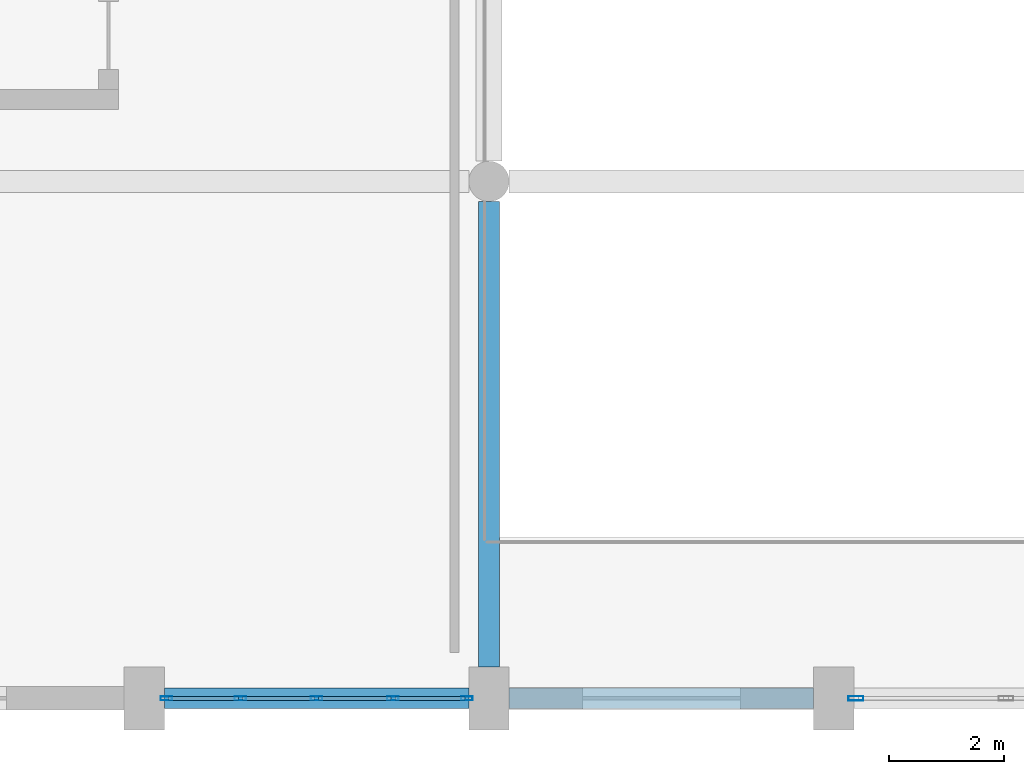
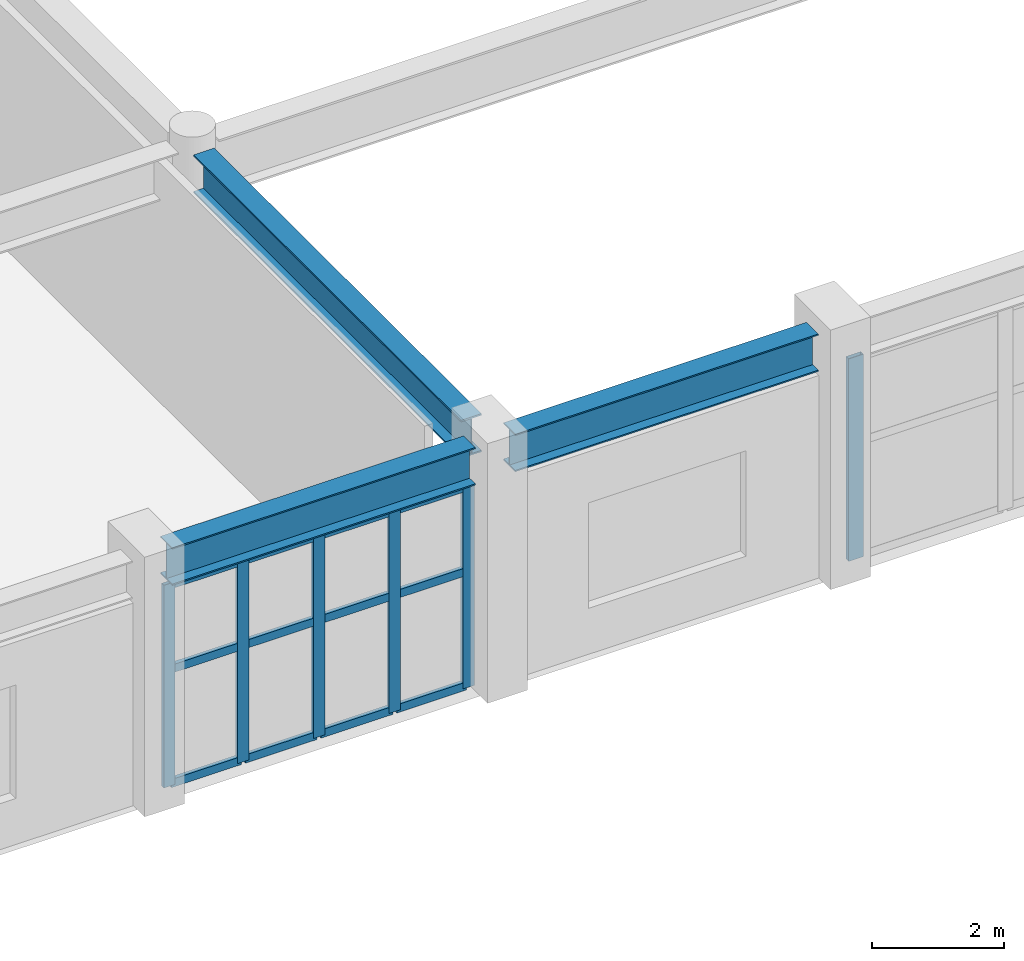
# One storey, part 4 of 80: 18 members, 3 beams, 2 elements without a shape of their own.
"""IFC4 building model written with IfcOpenShell, lengths in metres."""

from ifc_helpers import new_model, si_unit, direction, frame, origin, origin_2d, place, context, subcontext, project, spatial, hollow_rectangle, i_section, extrude, material, layer, layer_set, material_profile, profile_set, type_object, element, aggregate, save


model = new_model("IFC4")

# Units and contexts
model_context = context("Model", 3, precision=1e-05, world=origin(), true_north=direction((0.0, 1.0)))
body_context = subcontext(model_context, "Body", "Model", "MODEL_VIEW")
ifc_project = project(units=[si_unit("LENGTHUNIT", "METRE"), si_unit("AREAUNIT", "SQUARE_METRE"), si_unit("VOLUMEUNIT", "CUBIC_METRE"), si_unit("PLANEANGLEUNIT", "RADIAN"), si_unit("MASSUNIT", "GRAM", prefix="KILO")], contexts=[model_context])

# Site, building, storey
site_placement = place(None, origin())
site = spatial("IfcSite", under=ifc_project, at=site_placement, CompositionType="ELEMENT")
building_placement = place(site_placement, origin())
building = spatial("IfcBuilding", under=site, at=building_placement, Name="Vaelkrest Opera House", CompositionType="ELEMENT")
storey_placement = place(building_placement, frame((0.0, 0.0, 15.0)))
storey = spatial("IfcBuildingStorey", under=building, at=storey_placement, Name="L03", CompositionType="ELEMENT", Elevation=15.0)

# Beam
ifc_material_1 = material(Name="Steel A992 Gr50", Category="steel")
ifc_material_profile_1 = material_profile(ifc_material_1, i_section(OverallWidth=0.35791015625, OverallDepth=0.7060546875, WebThickness=0.018310546875, FlangeThickness=0.0302734375, at=origin_2d()), Name="W27X178")
ifc_profile_set_1 = profile_set([ifc_material_profile_1], Name="Steel A992 Gr50")
beam_type_1 = type_object("IfcBeamType", Name="B14", PredefinedType="BEAM", material=ifc_profile_set_1)
beam_placement = place(storey_placement, frame((-18.0, -55.25, 4.152099609375), z_axis=(0.0, 1.0, 0.0), x_axis=(-1.0, 0.0, 0.0)))
element("IfcBeam", 1, at=beam_placement, inside=storey, type_object=beam_type_1, Name="Beam BM-V1-L03-0486", PredefinedType="BEAM", context=body_context, shape_type="SweptSolid", body=[
    extrude(i_section(OverallWidth=0.35791015625, OverallDepth=0.7060546875, WebThickness=0.018310546875, FlangeThickness=0.0302734375, at=origin_2d()), origin(), (0.0, 0.0, 1.0), 8.10009765625),
])

# Curtain wall, members
ifc_material_2 = material(Name="Dark bronze anodized aluminium", Category="aluminium")
ifc_layer_1 = layer(ifc_material_2, 0.18994140625)
ifc_layer_set_1 = layer_set([ifc_layer_1], Name="Dark bronze anodized aluminium")
curtain_wall_type_1 = type_object("IfcCurtainWallType", Name="CW02", PredefinedType="NOTDEFINED", material=ifc_layer_set_1)
curtain_wall_1_placement = place(storey_placement, origin())
curtain_wall_1 = element("IfcCurtainWall", 2, at=curtain_wall_1_placement, inside=storey, type_object=curtain_wall_type_1, Name="Curtain wall CW-L03-046", PredefinedType="NOTDEFINED")
ifc_material_profile_2 = material_profile(ifc_material_2, hollow_rectangle(XDim=0.070068359375, YDim=0.199951171875, WallThickness=0.004150390625, at=origin_2d()), Name="CWM70X200")
ifc_profile_set_2 = profile_set([ifc_material_profile_2], Name="Dark bronze anodized aluminium")
member_type_1 = type_object("IfcMemberType", Name="CWM02", PredefinedType="MULLION", material=ifc_profile_set_2)
member_1_placement = place(storey_placement, frame((-18.383056640625, -55.800048828125, 0.0), z_axis=(0.0, 0.0, 1.0), x_axis=(0.0, -1.0, 0.0)))
member_1 = element("IfcMember", 3, at=member_1_placement, type_object=member_type_1, Name="CW02 mullion 1", PredefinedType="MULLION", context=body_context, shape_type="SweptSolid", body=[
    extrude(hollow_rectangle(XDim=0.070068359375, YDim=0.199951171875, WallThickness=0.004150390625, at=origin_2d()), origin(), (0.0, 0.0, 1.0), 3.7451171875),
])
member_2_placement = place(storey_placement, frame((-19.674072265625, -55.800048828125, 0.0), z_axis=(0.0, 0.0, 1.0), x_axis=(0.0, -1.0, 0.0)))
member_2 = element("IfcMember", 4, at=member_2_placement, type_object=member_type_1, Name="CW02 mullion 2", PredefinedType="MULLION", context=body_context, shape_type="SweptSolid", body=[
    extrude(hollow_rectangle(XDim=0.070068359375, YDim=0.199951171875, WallThickness=0.004150390625, at=origin_2d()), origin(), (0.0, 0.0, 1.0), 3.7451171875),
])
member_3_placement = place(storey_placement, frame((-21.0, -55.800048828125, 0.0), z_axis=(0.0, 0.0, 1.0), x_axis=(0.0, -1.0, 0.0)))
member_3 = element("IfcMember", 5, at=member_3_placement, type_object=member_type_1, Name="CW02 mullion 3", PredefinedType="MULLION", context=body_context, shape_type="SweptSolid", body=[
    extrude(hollow_rectangle(XDim=0.070068359375, YDim=0.199951171875, WallThickness=0.004150390625, at=origin_2d()), origin(), (0.0, 0.0, 1.0), 3.7451171875),
])
member_4_placement = place(storey_placement, frame((-22.325927734375, -55.800048828125, 0.0), z_axis=(0.0, 0.0, 1.0), x_axis=(0.0, -1.0, 0.0)))
member_4 = element("IfcMember", 6, at=member_4_placement, type_object=member_type_1, Name="CW02 mullion 4", PredefinedType="MULLION", context=body_context, shape_type="SweptSolid", body=[
    extrude(hollow_rectangle(XDim=0.070068359375, YDim=0.199951171875, WallThickness=0.004150390625, at=origin_2d()), origin(), (0.0, 0.0, 1.0), 3.7451171875),
])
member_5_placement = place(storey_placement, frame((-23.616943359375, -55.800048828125, 0.0), z_axis=(0.0, 0.0, 1.0), x_axis=(0.0, -1.0, 0.0)))
member_5 = element("IfcMember", 7, at=member_5_placement, type_object=member_type_1, Name="CW02 mullion 5", PredefinedType="MULLION", context=body_context, shape_type="SweptSolid", body=[
    extrude(hollow_rectangle(XDim=0.070068359375, YDim=0.199951171875, WallThickness=0.004150390625, at=origin_2d()), origin(), (0.0, 0.0, 1.0), 3.7451171875),
])

# Curtain wall, member
ifc_layer_2 = layer(ifc_material_2, 0.25)
ifc_layer_set_2 = layer_set([ifc_layer_2], Name="Dark bronze anodized aluminium")
curtain_wall_type_2 = type_object("IfcCurtainWallType", Name="CW08", PredefinedType="NOTDEFINED", material=ifc_layer_set_2)
curtain_wall_2_placement = place(storey_placement, origin())
curtain_wall_2 = element("IfcCurtainWall", 8, at=curtain_wall_2_placement, inside=storey, type_object=curtain_wall_type_2, Name="Curtain wall CW-L03-045", PredefinedType="NOTDEFINED")
ifc_material_profile_3 = material_profile(ifc_material_2, hollow_rectangle(XDim=0.080078125, YDim=0.260009765625, WallThickness=0.0048828125, at=origin_2d()), Name="CWM80X260")
ifc_profile_set_3 = profile_set([ifc_material_profile_3], Name="Dark bronze anodized aluminium")
member_type_2 = type_object("IfcMemberType", Name="CWM04", PredefinedType="MULLION", material=ifc_profile_set_3)
member_6_placement = place(storey_placement, frame((-11.612060546875, -55.800048828125, 0.0), z_axis=(0.0, 0.0, 1.0), x_axis=(0.0, -1.0, 0.0)))
member_6 = element("IfcMember", 9, at=member_6_placement, type_object=member_type_2, Name="CW08 mullion 3", PredefinedType="MULLION", context=body_context, shape_type="SweptSolid", body=[
    extrude(hollow_rectangle(XDim=0.080078125, YDim=0.260009765625, WallThickness=0.0048828125, at=origin_2d()), origin(), (0.0, 0.0, 1.0), 3.7451171875),
])
aggregate(curtain_wall_2, [member_6])

# Member
ifc_material_profile_4 = material_profile(ifc_material_2, hollow_rectangle(XDim=0.070068359375, YDim=0.14990234375, WallThickness=0.004150390625, at=origin_2d()), Name="CWT70X150")
ifc_profile_set_4 = profile_set([ifc_material_profile_4], Name="Dark bronze anodized aluminium")
member_type_3 = type_object("IfcMemberType", Name="CWT02", PredefinedType="USERDEFINED", material=ifc_profile_set_4)
member_7_placement = place(storey_placement, frame((-18.41796875, -55.800048828125, 0.034912109375), z_axis=(-1.0, 0.0, 0.0), x_axis=(0.0, -1.0, 0.0)))
member_7 = element("IfcMember", 10, at=member_7_placement, type_object=member_type_3, Name="CW02 transom 1.1", ObjectType="TRANSOM", PredefinedType="USERDEFINED", context=body_context, shape_type="SweptSolid", body=[
    extrude(hollow_rectangle(XDim=0.070068359375, YDim=0.14990234375, WallThickness=0.004150390625, at=origin_2d()), origin(), (0.0, 0.0, 1.0), 1.220947265625),
])

member_8_placement = place(storey_placement, frame((-18.41796875, -55.800048828125, 2.14990234375), z_axis=(-1.0, 0.0, 0.0), x_axis=(0.0, -1.0, 0.0)))
member_8 = element("IfcMember", 11, at=member_8_placement, type_object=member_type_3, Name="CW02 transom 1.2", ObjectType="TRANSOM", PredefinedType="USERDEFINED", context=body_context, shape_type="SweptSolid", body=[
    extrude(hollow_rectangle(XDim=0.070068359375, YDim=0.14990234375, WallThickness=0.004150390625, at=origin_2d()), origin(), (0.0, 0.0, 1.0), 1.220947265625),
])

member_9_placement = place(storey_placement, frame((-18.41796875, -55.800048828125, 3.7099609375), z_axis=(-1.0, 0.0, 0.0), x_axis=(0.0, -1.0, 0.0)))
member_9 = element("IfcMember", 12, at=member_9_placement, type_object=member_type_3, Name="CW02 transom 1.3", ObjectType="TRANSOM", PredefinedType="USERDEFINED", context=body_context, shape_type="SweptSolid", body=[
    extrude(hollow_rectangle(XDim=0.070068359375, YDim=0.14990234375, WallThickness=0.004150390625, at=origin_2d()), origin(), (0.0, 0.0, 1.0), 1.220947265625),
])

member_10_placement = place(storey_placement, frame((-19.708984375, -55.800048828125, 0.034912109375), z_axis=(-1.0, 0.0, 0.0), x_axis=(0.0, -1.0, 0.0)))
member_10 = element("IfcMember", 13, at=member_10_placement, type_object=member_type_3, Name="CW02 transom 2.1", ObjectType="TRANSOM", PredefinedType="USERDEFINED", context=body_context, shape_type="SweptSolid", body=[
    extrude(hollow_rectangle(XDim=0.070068359375, YDim=0.14990234375, WallThickness=0.004150390625, at=origin_2d()), origin(), (0.0, 0.0, 1.0), 1.256103515625),
])

member_11_placement = place(storey_placement, frame((-19.708984375, -55.800048828125, 2.14990234375), z_axis=(-1.0, 0.0, 0.0), x_axis=(0.0, -1.0, 0.0)))
member_11 = element("IfcMember", 14, at=member_11_placement, type_object=member_type_3, Name="CW02 transom 2.2", ObjectType="TRANSOM", PredefinedType="USERDEFINED", context=body_context, shape_type="SweptSolid", body=[
    extrude(hollow_rectangle(XDim=0.070068359375, YDim=0.14990234375, WallThickness=0.004150390625, at=origin_2d()), origin(), (0.0, 0.0, 1.0), 1.256103515625),
])

member_12_placement = place(storey_placement, frame((-19.708984375, -55.800048828125, 3.7099609375), z_axis=(-1.0, 0.0, 0.0), x_axis=(0.0, -1.0, 0.0)))
member_12 = element("IfcMember", 15, at=member_12_placement, type_object=member_type_3, Name="CW02 transom 2.3", ObjectType="TRANSOM", PredefinedType="USERDEFINED", context=body_context, shape_type="SweptSolid", body=[
    extrude(hollow_rectangle(XDim=0.070068359375, YDim=0.14990234375, WallThickness=0.004150390625, at=origin_2d()), origin(), (0.0, 0.0, 1.0), 1.256103515625),
])

member_13_placement = place(storey_placement, frame((-21.034912109375, -55.800048828125, 0.034912109375), z_axis=(-1.0, 0.0, 0.0), x_axis=(0.0, -1.0, 0.0)))
member_13 = element("IfcMember", 16, at=member_13_placement, type_object=member_type_3, Name="CW02 transom 3.1", ObjectType="TRANSOM", PredefinedType="USERDEFINED", context=body_context, shape_type="SweptSolid", body=[
    extrude(hollow_rectangle(XDim=0.070068359375, YDim=0.14990234375, WallThickness=0.004150390625, at=origin_2d()), origin(), (0.0, 0.0, 1.0), 1.256103515625),
])

member_14_placement = place(storey_placement, frame((-21.034912109375, -55.800048828125, 2.14990234375), z_axis=(-1.0, 0.0, 0.0), x_axis=(0.0, -1.0, 0.0)))
member_14 = element("IfcMember", 17, at=member_14_placement, type_object=member_type_3, Name="CW02 transom 3.2", ObjectType="TRANSOM", PredefinedType="USERDEFINED", context=body_context, shape_type="SweptSolid", body=[
    extrude(hollow_rectangle(XDim=0.070068359375, YDim=0.14990234375, WallThickness=0.004150390625, at=origin_2d()), origin(), (0.0, 0.0, 1.0), 1.256103515625),
])

member_15_placement = place(storey_placement, frame((-21.034912109375, -55.800048828125, 3.7099609375), z_axis=(-1.0, 0.0, 0.0), x_axis=(0.0, -1.0, 0.0)))
member_15 = element("IfcMember", 18, at=member_15_placement, type_object=member_type_3, Name="CW02 transom 3.3", ObjectType="TRANSOM", PredefinedType="USERDEFINED", context=body_context, shape_type="SweptSolid", body=[
    extrude(hollow_rectangle(XDim=0.070068359375, YDim=0.14990234375, WallThickness=0.004150390625, at=origin_2d()), origin(), (0.0, 0.0, 1.0), 1.256103515625),
])

member_16_placement = place(storey_placement, frame((-22.361083984375, -55.800048828125, 0.034912109375), z_axis=(-1.0, 0.0, 0.0), x_axis=(0.0, -1.0, 0.0)))
member_16 = element("IfcMember", 19, at=member_16_placement, type_object=member_type_3, Name="CW02 transom 4.1", ObjectType="TRANSOM", PredefinedType="USERDEFINED", context=body_context, shape_type="SweptSolid", body=[
    extrude(hollow_rectangle(XDim=0.070068359375, YDim=0.14990234375, WallThickness=0.004150390625, at=origin_2d()), origin(), (0.0, 0.0, 1.0), 1.220947265625),
])

member_17_placement = place(storey_placement, frame((-22.361083984375, -55.800048828125, 2.14990234375), z_axis=(-1.0, 0.0, 0.0), x_axis=(0.0, -1.0, 0.0)))
member_17 = element("IfcMember", 20, at=member_17_placement, type_object=member_type_3, Name="CW02 transom 4.2", ObjectType="TRANSOM", PredefinedType="USERDEFINED", context=body_context, shape_type="SweptSolid", body=[
    extrude(hollow_rectangle(XDim=0.070068359375, YDim=0.14990234375, WallThickness=0.004150390625, at=origin_2d()), origin(), (0.0, 0.0, 1.0), 1.220947265625),
])

member_18_placement = place(storey_placement, frame((-22.361083984375, -55.800048828125, 3.7099609375), z_axis=(-1.0, 0.0, 0.0), x_axis=(0.0, -1.0, 0.0)))
member_18 = element("IfcMember", 21, at=member_18_placement, type_object=member_type_3, Name="CW02 transom 4.3", ObjectType="TRANSOM", PredefinedType="USERDEFINED", context=body_context, shape_type="SweptSolid", body=[
    extrude(hollow_rectangle(XDim=0.070068359375, YDim=0.14990234375, WallThickness=0.004150390625, at=origin_2d()), origin(), (0.0, 0.0, 1.0), 1.220947265625),
])

aggregate(curtain_wall_1, [member_1, member_2, member_3, member_4, member_5, member_7, member_8, member_9, member_10, member_11, member_12, member_13, member_14, member_15, member_16, member_17, member_18])

# Beams
ifc_material_profile_5 = material_profile(ifc_material_1, i_section(OverallWidth=0.35498046875, OverallDepth=0.695068359375, WebThickness=0.015380859375, FlangeThickness=0.02490234375, at=origin_2d()), Name="W27X146")
ifc_profile_set_5 = profile_set([ifc_material_profile_5], Name="Steel A992 Gr50")
beam_type_2 = type_object("IfcBeamType", Name="SP02", PredefinedType="SPANDREL", material=ifc_profile_set_5)
for number, where, z_axis, x_axis, name in (
    (22, (-23.64990234375, -55.800048828125, 4.157470703125), (1.0, 0.0, 0.0), (0.0, 1.0, 0.0), "Beam BM-V1-L03-0422"),
    (23, (-17.64990234375, -55.800048828125, 4.157470703125), (1.0, 0.0, 0.0), (0.0, 1.0, 0.0), "Beam BM-V1-L03-0423"),
):
    element("IfcBeam", number, at=place(storey_placement, frame(where, z_axis=z_axis, x_axis=x_axis)), inside=storey, type_object=beam_type_2, Name=name, PredefinedType="SPANDREL", context=body_context, shape_type="SweptSolid", body=[
        extrude(i_section(OverallWidth=0.35498046875, OverallDepth=0.695068359375, WebThickness=0.015380859375, FlangeThickness=0.02490234375, at=origin_2d()), origin(), (0.0, 0.0, 1.0), 5.2998046875),
    ])

save(model, "model.ifc")
